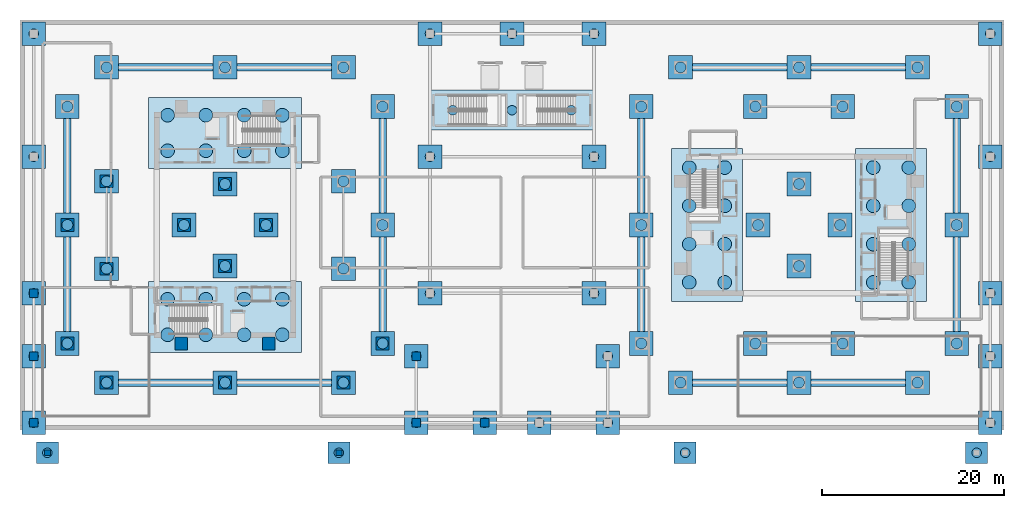
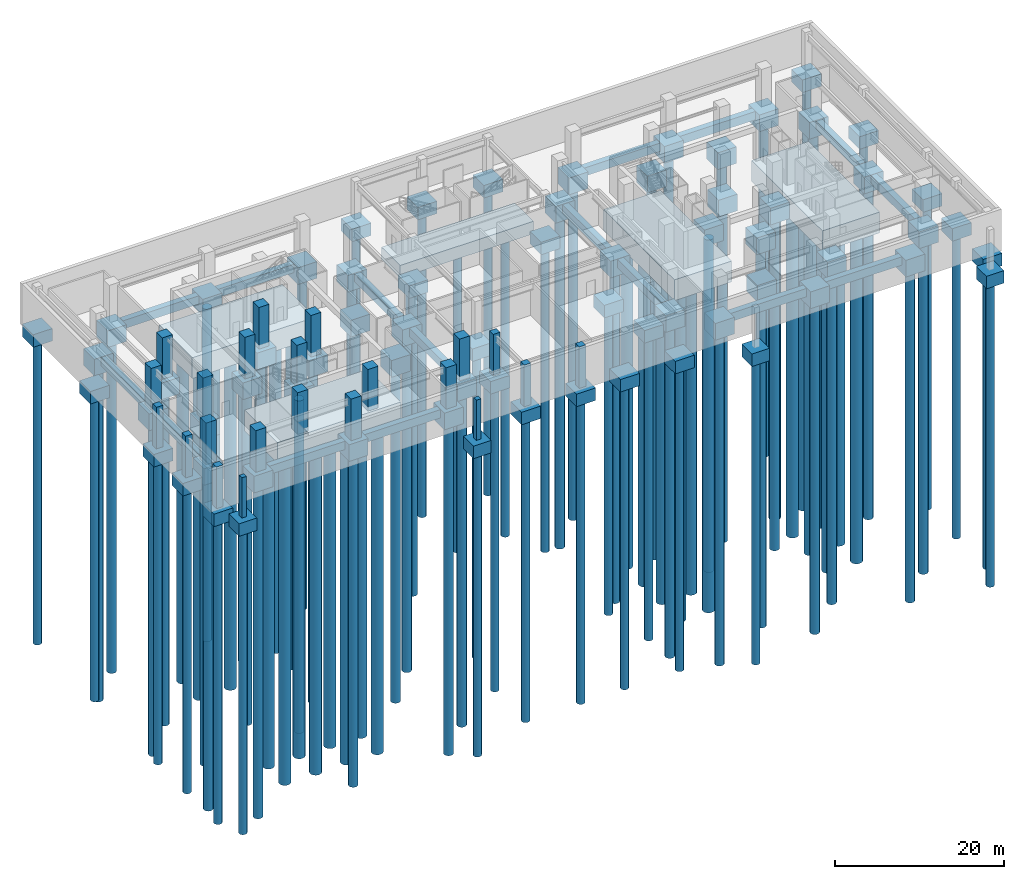
# One storey, part 1 of 14: 102 piles, 88 footings, 22 columns.
"""IFC4 building model written with IfcOpenShell, lengths in metres."""

from ifc_helpers import new_model, si_unit, direction, frame, origin, origin_2d, place, context, subcontext, project, spatial, rectangle, circle, extrude, material, material_profile, profile_set, type_object, element, save


model = new_model("IFC4")

# Units and contexts
model_context = context("Model", 3, precision=1e-05, world=origin(), true_north=direction((0.0, 1.0)))
body_context = subcontext(model_context, "Body", "Model", "MODEL_VIEW")
ifc_project = project(units=[si_unit("LENGTHUNIT", "METRE"), si_unit("AREAUNIT", "SQUARE_METRE"), si_unit("VOLUMEUNIT", "CUBIC_METRE"), si_unit("PLANEANGLEUNIT", "RADIAN"), si_unit("MASSUNIT", "GRAM", prefix="KILO")], contexts=[model_context])

# Site, building, storey
site_placement = place(None, origin())
site = spatial("IfcSite", under=ifc_project, at=site_placement, CompositionType="ELEMENT")
building_placement = place(site_placement, origin())
building = spatial("IfcBuilding", under=site, at=building_placement, Name="Thornwick Lancets Civic Towers", CompositionType="ELEMENT")
storey_placement = place(building_placement, frame((0.0, 0.0, -5.39990234375)))
storey = spatial("IfcBuildingStorey", under=building, at=storey_placement, Name="B01", CompositionType="ELEMENT", Elevation=-5.39990234375)

# Footings
ifc_material_1 = material(Name="Concrete C40/50", Category="concrete")
footing_type_1 = type_object("IfcFootingType", Name="FTG_CORE_CAP", PredefinedType="PILE_CAP", material=ifc_material_1)
for number, where, z_axis, x_axis, name in (
    (1, (25.5, 16.89990234375, -3.60009765625), (0.0, 0.0, 1.0), (1.0, 0.0, 0.0), "Core Pile Cap A1"),
    (2, (25.5, 37.10009765625, -3.60009765625), (0.0, 0.0, 1.0), (1.0, 0.0, 0.0), "Core Pile Cap A2"),
):
    element("IfcFooting", number, at=place(storey_placement, frame(where, z_axis=z_axis, x_axis=x_axis)), inside=storey, type_object=footing_type_1, Name=name, PredefinedType="PILE_CAP", context=body_context, shape_type="SweptSolid", body=[
        extrude(rectangle(XDim=16.800048828125, YDim=7.800048828125, at=origin_2d()), origin(), (0.0, 0.0, 1.0), 3.0),
    ])
for number, where, z_axis, x_axis, name in (
    (3, (98.60009765625, 27.0, -3.60009765625), (0.0, 0.0, 1.0), (1.0, 0.0, 0.0), "Core Pile Cap B1"),
    (4, (78.39990234375, 27.0, -3.60009765625), (0.0, 0.0, 1.0), (1.0, 0.0, 0.0), "Core Pile Cap B2"),
):
    element("IfcFooting", number, at=place(storey_placement, frame(where, z_axis=z_axis, x_axis=x_axis)), inside=storey, type_object=footing_type_1, Name=name, PredefinedType="PILE_CAP", context=body_context, shape_type="SweptSolid", body=[
        extrude(rectangle(XDim=7.800048828125, YDim=16.800048828125, at=origin_2d()), origin(), (0.0, 0.0, 1.0), 3.0),
    ])
footing_type_2 = type_object("IfcFootingType", Name="FTG_MEGA_CAP", PredefinedType="PILE_CAP", material=ifc_material_1)
for number, where, z_axis, x_axis, name in (
    (5, (12.5, 9.699951171875, -3.0), (0.0, 0.0, 1.0), (1.0, 0.0, 0.0), "Mega-Column Pile Cap A01"),
    (6, (25.5, 9.699951171875, -3.0), (0.0, 0.0, 1.0), (1.0, 0.0, 0.0), "Mega-Column Pile Cap A02"),
    (7, (38.5, 9.699951171875, -3.0), (0.0, 0.0, 1.0), (1.0, 0.0, 0.0), "Mega-Column Pile Cap A03"),
    (8, (42.800048828125, 14.0, -3.0), (0.0, 0.0, 1.0), (1.0, 0.0, 0.0), "Mega-Column Pile Cap A04"),
    (9, (42.800048828125, 27.0, -3.0), (0.0, 0.0, 1.0), (1.0, 0.0, 0.0), "Mega-Column Pile Cap A05"),
    (10, (42.800048828125, 40.0, -3.0), (0.0, 0.0, 1.0), (1.0, 0.0, 0.0), "Mega-Column Pile Cap A06"),
    (11, (12.5, 44.300048828125, -3.0), (0.0, 0.0, 1.0), (1.0, 0.0, 0.0), "Mega-Column Pile Cap A07"),
    (12, (25.5, 44.300048828125, -3.0), (0.0, 0.0, 1.0), (1.0, 0.0, 0.0), "Mega-Column Pile Cap A08"),
    (13, (38.5, 44.300048828125, -3.0), (0.0, 0.0, 1.0), (1.0, 0.0, 0.0), "Mega-Column Pile Cap A09"),
    (14, (8.199951171875, 14.0, -3.0), (0.0, 0.0, 1.0), (1.0, 0.0, 0.0), "Mega-Column Pile Cap A10"),
    (15, (8.199951171875, 27.0, -3.0), (0.0, 0.0, 1.0), (1.0, 0.0, 0.0), "Mega-Column Pile Cap A11"),
    (16, (8.199951171875, 40.0, -3.0), (0.0, 0.0, 1.0), (1.0, 0.0, 0.0), "Mega-Column Pile Cap A12"),
    (17, (12.5, 22.199951171875, -3.0), (0.0, 0.0, 1.0), (1.0, 0.0, 0.0), "Mega-Column Pile Cap A13"),
    (18, (38.5, 22.199951171875, -3.0), (0.0, 0.0, 1.0), (1.0, 0.0, 0.0), "Mega-Column Pile Cap A14"),
    (19, (12.5, 31.800048828125, -3.0), (0.0, 0.0, 1.0), (1.0, 0.0, 0.0), "Mega-Column Pile Cap A15"),
    (20, (38.5, 31.800048828125, -3.0), (0.0, 0.0, 1.0), (1.0, 0.0, 0.0), "Mega-Column Pile Cap A16"),
    (21, (25.5, 22.5, -3.0), (0.0, 0.0, 1.0), (1.0, 0.0, 0.0), "Mega-Column Pile Cap A21"),
    (22, (25.5, 31.5, -3.0), (0.0, 0.0, 1.0), (1.0, 0.0, 0.0), "Mega-Column Pile Cap A22"),
    (23, (21.0, 27.0, -3.0), (0.0, 0.0, 1.0), (1.0, 0.0, 0.0), "Mega-Column Pile Cap A23"),
    (24, (30.0, 27.0, -3.0), (0.0, 0.0, 1.0), (1.0, 0.0, 0.0), "Mega-Column Pile Cap A24"),
    (25, (105.800048828125, 14.0, -3.0), (0.0, 0.0, 1.0), (1.0, 0.0, 0.0), "Mega-Column Pile Cap B01"),
    (26, (105.800048828125, 27.0, -3.0), (0.0, 0.0, 1.0), (1.0, 0.0, 0.0), "Mega-Column Pile Cap B02"),
    (27, (105.800048828125, 40.0, -3.0), (0.0, 0.0, 1.0), (1.0, 0.0, 0.0), "Mega-Column Pile Cap B03"),
    (28, (101.5, 44.300048828125, -3.0), (0.0, 0.0, 1.0), (1.0, 0.0, 0.0), "Mega-Column Pile Cap B04"),
    (29, (88.5, 44.300048828125, -3.0), (0.0, 0.0, 1.0), (1.0, 0.0, 0.0), "Mega-Column Pile Cap B05"),
    (30, (75.5, 44.300048828125, -3.0), (0.0, 0.0, 1.0), (1.0, 0.0, 0.0), "Mega-Column Pile Cap B06"),
    (31, (71.199951171875, 14.0, -3.0), (0.0, 0.0, 1.0), (1.0, 0.0, 0.0), "Mega-Column Pile Cap B07"),
    (32, (71.199951171875, 27.0, -3.0), (0.0, 0.0, 1.0), (1.0, 0.0, 0.0), "Mega-Column Pile Cap B08"),
    (33, (71.199951171875, 40.0, -3.0), (0.0, 0.0, 1.0), (1.0, 0.0, 0.0), "Mega-Column Pile Cap B09"),
    (34, (101.5, 9.699951171875, -3.0), (0.0, 0.0, 1.0), (1.0, 0.0, 0.0), "Mega-Column Pile Cap B10"),
    (35, (88.5, 9.699951171875, -3.0), (0.0, 0.0, 1.0), (1.0, 0.0, 0.0), "Mega-Column Pile Cap B11"),
    (36, (75.5, 9.699951171875, -3.0), (0.0, 0.0, 1.0), (1.0, 0.0, 0.0), "Mega-Column Pile Cap B12"),
    (37, (93.300048828125, 14.0, -3.0), (0.0, 0.0, 1.0), (1.0, 0.0, 0.0), "Mega-Column Pile Cap B13"),
    (38, (93.300048828125, 40.0, -3.0), (0.0, 0.0, 1.0), (1.0, 0.0, 0.0), "Mega-Column Pile Cap B14"),
    (39, (83.699951171875, 14.0, -3.0), (0.0, 0.0, 1.0), (1.0, 0.0, 0.0), "Mega-Column Pile Cap B15"),
    (40, (83.699951171875, 40.0, -3.0), (0.0, 0.0, 1.0), (1.0, 0.0, 0.0), "Mega-Column Pile Cap B16"),
    (41, (93.0, 27.0, -3.0), (0.0, 0.0, 1.0), (1.0, 0.0, 0.0), "Mega-Column Pile Cap B21"),
    (42, (84.0, 27.0, -3.0), (0.0, 0.0, 1.0), (1.0, 0.0, 0.0), "Mega-Column Pile Cap B22"),
    (43, (88.5, 22.5, -3.0), (0.0, 0.0, 1.0), (1.0, 0.0, 0.0), "Mega-Column Pile Cap B23"),
    (44, (88.5, 31.5, -3.0), (0.0, 0.0, 1.0), (1.0, 0.0, 0.0), "Mega-Column Pile Cap B24"),
):
    element("IfcFooting", number, at=place(storey_placement, frame(where, z_axis=z_axis, x_axis=x_axis)), inside=storey, type_object=footing_type_2, Name=name, PredefinedType="PILE_CAP", context=body_context, shape_type="SweptSolid", body=[
        extrude(rectangle(XDim=2.60009765625, YDim=2.60009765625, at=origin_2d()), origin(), (0.0, 0.0, 1.0), 2.39990234375),
    ])
footing_type_3 = type_object("IfcFootingType", Name="FTG_POD_PAD", PredefinedType="PAD_FOOTING", material=ifc_material_1)
for number, where, z_axis, x_axis, name in (
    (45, (4.5, 5.300048828125, -2.39990234375), (0.0, 0.0, 1.0), (1.0, 0.0, 0.0), "Podium Footing PF-P01"),
    (46, (46.5, 5.300048828125, -2.39990234375), (0.0, 0.0, 1.0), (1.0, 0.0, 0.0), "Podium Footing PF-P02"),
    (47, (54.0, 5.300048828125, -2.39990234375), (0.0, 0.0, 1.0), (1.0, 0.0, 0.0), "Podium Footing PF-P03"),
    (48, (60.0, 5.300048828125, -2.39990234375), (0.0, 0.0, 1.0), (1.0, 0.0, 0.0), "Podium Footing PF-P04"),
    (49, (67.5, 5.300048828125, -2.39990234375), (0.0, 0.0, 1.0), (1.0, 0.0, 0.0), "Podium Footing PF-P05"),
    (50, (109.5, 5.300048828125, -2.39990234375), (0.0, 0.0, 1.0), (1.0, 0.0, 0.0), "Podium Footing PF-P06"),
    (51, (4.5, 12.60009765625, -2.39990234375), (0.0, 0.0, 1.0), (1.0, 0.0, 0.0), "Podium Footing PF-P07"),
    (52, (46.5, 12.60009765625, -2.39990234375), (0.0, 0.0, 1.0), (1.0, 0.0, 0.0), "Podium Footing PF-P08"),
    (53, (67.5, 12.60009765625, -2.39990234375), (0.0, 0.0, 1.0), (1.0, 0.0, 0.0), "Podium Footing PF-P09"),
    (54, (109.5, 12.60009765625, -2.39990234375), (0.0, 0.0, 1.0), (1.0, 0.0, 0.0), "Podium Footing PF-P10"),
    (55, (4.5, 19.5, -2.39990234375), (0.0, 0.0, 1.0), (1.0, 0.0, 0.0), "Podium Footing PF-P11"),
    (56, (4.5, 34.5, -2.39990234375), (0.0, 0.0, 1.0), (1.0, 0.0, 0.0), "Podium Footing PF-P12"),
    (57, (4.5, 48.0, -2.39990234375), (0.0, 0.0, 1.0), (1.0, 0.0, 0.0), "Podium Footing PF-P13"),
    (58, (48.0, 19.5, -2.39990234375), (0.0, 0.0, 1.0), (1.0, 0.0, 0.0), "Podium Footing PF-P14"),
    (59, (66.0, 19.5, -2.39990234375), (0.0, 0.0, 1.0), (1.0, 0.0, 0.0), "Podium Footing PF-P15"),
    (60, (48.0, 34.5, -2.39990234375), (0.0, 0.0, 1.0), (1.0, 0.0, 0.0), "Podium Footing PF-P16"),
    (61, (66.0, 34.5, -2.39990234375), (0.0, 0.0, 1.0), (1.0, 0.0, 0.0), "Podium Footing PF-P17"),
    (62, (48.0, 48.0, -2.39990234375), (0.0, 0.0, 1.0), (1.0, 0.0, 0.0), "Podium Footing PF-P18"),
    (63, (57.0, 48.0, -2.39990234375), (0.0, 0.0, 1.0), (1.0, 0.0, 0.0), "Podium Footing PF-P19"),
    (64, (66.0, 48.0, -2.39990234375), (0.0, 0.0, 1.0), (1.0, 0.0, 0.0), "Podium Footing PF-P20"),
    (65, (109.5, 19.5, -2.39990234375), (0.0, 0.0, 1.0), (1.0, 0.0, 0.0), "Podium Footing PF-P21"),
    (66, (109.5, 34.5, -2.39990234375), (0.0, 0.0, 1.0), (1.0, 0.0, 0.0), "Podium Footing PF-P22"),
    (67, (109.5, 48.0, -2.39990234375), (0.0, 0.0, 1.0), (1.0, 0.0, 0.0), "Podium Footing PF-P23"),
):
    element("IfcFooting", number, at=place(storey_placement, frame(where, z_axis=z_axis, x_axis=x_axis)), inside=storey, type_object=footing_type_3, Name=name, PredefinedType="PAD_FOOTING", context=body_context, shape_type="SweptSolid", body=[
        extrude(rectangle(XDim=2.60009765625, YDim=2.60009765625, at=origin_2d()), origin(), (0.0, 0.0, 1.0), 1.800048828125),
    ])
footing_placement = place(storey_placement, frame((57.0, 39.60009765625, -2.39990234375), z_axis=(0.0, 0.0, 1.0), x_axis=(1.0, 0.0, 0.0)))
element("IfcFooting", 68, at=footing_placement, inside=storey, type_object=footing_type_3, Name="Combined Podium Stair Core Foundation Pad", PredefinedType="PAD_FOOTING", context=body_context, shape_type="SweptSolid", body=[
    extrude(rectangle(XDim=18.199951171875, YDim=4.39990234375, at=origin_2d()), origin(), (0.0, 0.0, 1.0), 1.800048828125),
])
for number, where, z_axis, x_axis, name in (
    (69, (6.0, 2.0, -2.39990234375), (0.0, 0.0, 1.0), (1.0, 0.0, 0.0), "Plaza Grade Footing PF-PL01"),
    (70, (38.0, 2.0, -2.39990234375), (0.0, 0.0, 1.0), (1.0, 0.0, 0.0), "Plaza Grade Footing PF-PL02"),
    (71, (76.0, 2.0, -2.39990234375), (0.0, 0.0, 1.0), (1.0, 0.0, 0.0), "Plaza Grade Footing PF-PL03"),
    (72, (108.0, 2.0, -2.39990234375), (0.0, 0.0, 1.0), (1.0, 0.0, 0.0), "Plaza Grade Footing PF-PL04"),
):
    element("IfcFooting", number, at=place(storey_placement, frame(where, z_axis=z_axis, x_axis=x_axis)), inside=storey, type_object=footing_type_3, Name=name, PredefinedType="PAD_FOOTING", context=body_context, shape_type="SweptSolid", body=[
        extrude(rectangle(XDim=2.39990234375, YDim=2.39990234375, at=origin_2d()), origin(), (0.0, 0.0, 1.0), 1.800048828125),
    ])
footing_type_4 = type_object("IfcFootingType", Name="FTG_TIE_BEAM", PredefinedType="STRIP_FOOTING", material=ifc_material_1)
for number, where, z_axis, x_axis, name in (
    (73, (19.0, 9.699951171875, -1.80029296875), (0.0, 0.0, 1.0), (1.0, 0.0, 0.0), "Ground Tie Beam A-X-0-1"),
    (74, (32.0, 9.699951171875, -1.80029296875), (0.0, 0.0, 1.0), (1.0, 0.0, 0.0), "Ground Tie Beam A-X-1-2"),
):
    element("IfcFooting", number, at=place(storey_placement, frame(where, z_axis=z_axis, x_axis=x_axis)), inside=storey, type_object=footing_type_4, Name=name, PredefinedType="STRIP_FOOTING", context=body_context, shape_type="SweptSolid", body=[
        extrude(rectangle(XDim=10.360107421875, YDim=0.800048828125, at=origin_2d()), origin(), (0.0, 0.0, 1.0), 1.199951171875),
    ])
for number, where, z_axis, x_axis, name in (
    (75, (42.800048828125, 20.5, -1.80029296875), (0.0, 0.0, 1.0), (1.0, 0.0, 0.0), "Ground Tie Beam A-Y-3-4"),
    (76, (42.800048828125, 33.5, -1.80029296875), (0.0, 0.0, 1.0), (1.0, 0.0, 0.0), "Ground Tie Beam A-Y-4-5"),
):
    element("IfcFooting", number, at=place(storey_placement, frame(where, z_axis=z_axis, x_axis=x_axis)), inside=storey, type_object=footing_type_4, Name=name, PredefinedType="STRIP_FOOTING", context=body_context, shape_type="SweptSolid", body=[
        extrude(rectangle(XDim=0.800048828125, YDim=10.360107421875, at=origin_2d()), origin(), (0.0, 0.0, 1.0), 1.199951171875),
    ])
for number, where, z_axis, x_axis, name in (
    (77, (19.0, 44.300048828125, -1.80029296875), (0.0, 0.0, 1.0), (1.0, 0.0, 0.0), "Ground Tie Beam A-X-6-7"),
    (78, (32.0, 44.300048828125, -1.80029296875), (0.0, 0.0, 1.0), (1.0, 0.0, 0.0), "Ground Tie Beam A-X-7-8"),
):
    element("IfcFooting", number, at=place(storey_placement, frame(where, z_axis=z_axis, x_axis=x_axis)), inside=storey, type_object=footing_type_4, Name=name, PredefinedType="STRIP_FOOTING", context=body_context, shape_type="SweptSolid", body=[
        extrude(rectangle(XDim=10.360107421875, YDim=0.800048828125, at=origin_2d()), origin(), (0.0, 0.0, 1.0), 1.199951171875),
    ])
for number, where, z_axis, x_axis, name in (
    (79, (8.199951171875, 20.5, -1.80029296875), (0.0, 0.0, 1.0), (1.0, 0.0, 0.0), "Ground Tie Beam A-Y-9-10"),
    (80, (8.199951171875, 33.5, -1.80029296875), (0.0, 0.0, 1.0), (1.0, 0.0, 0.0), "Ground Tie Beam A-Y-10-11"),
    (81, (105.800048828125, 20.5, -1.80029296875), (0.0, 0.0, 1.0), (1.0, 0.0, 0.0), "Ground Tie Beam B-Y-0-1"),
    (82, (105.800048828125, 33.5, -1.80029296875), (0.0, 0.0, 1.0), (1.0, 0.0, 0.0), "Ground Tie Beam B-Y-1-2"),
):
    element("IfcFooting", number, at=place(storey_placement, frame(where, z_axis=z_axis, x_axis=x_axis)), inside=storey, type_object=footing_type_4, Name=name, PredefinedType="STRIP_FOOTING", context=body_context, shape_type="SweptSolid", body=[
        extrude(rectangle(XDim=0.800048828125, YDim=10.360107421875, at=origin_2d()), origin(), (0.0, 0.0, 1.0), 1.199951171875),
    ])
for number, where, z_axis, x_axis, name in (
    (83, (95.0, 44.300048828125, -1.80029296875), (0.0, 0.0, 1.0), (1.0, 0.0, 0.0), "Ground Tie Beam B-X-3-4"),
    (84, (82.0, 44.300048828125, -1.80029296875), (0.0, 0.0, 1.0), (1.0, 0.0, 0.0), "Ground Tie Beam B-X-4-5"),
):
    element("IfcFooting", number, at=place(storey_placement, frame(where, z_axis=z_axis, x_axis=x_axis)), inside=storey, type_object=footing_type_4, Name=name, PredefinedType="STRIP_FOOTING", context=body_context, shape_type="SweptSolid", body=[
        extrude(rectangle(XDim=10.360107421875, YDim=0.800048828125, at=origin_2d()), origin(), (0.0, 0.0, 1.0), 1.199951171875),
    ])
for number, where, z_axis, x_axis, name in (
    (85, (71.199951171875, 20.5, -1.80029296875), (0.0, 0.0, 1.0), (1.0, 0.0, 0.0), "Ground Tie Beam B-Y-6-7"),
    (86, (71.199951171875, 33.5, -1.80029296875), (0.0, 0.0, 1.0), (1.0, 0.0, 0.0), "Ground Tie Beam B-Y-7-8"),
):
    element("IfcFooting", number, at=place(storey_placement, frame(where, z_axis=z_axis, x_axis=x_axis)), inside=storey, type_object=footing_type_4, Name=name, PredefinedType="STRIP_FOOTING", context=body_context, shape_type="SweptSolid", body=[
        extrude(rectangle(XDim=0.800048828125, YDim=10.360107421875, at=origin_2d()), origin(), (0.0, 0.0, 1.0), 1.199951171875),
    ])
for number, where, z_axis, x_axis, name in (
    (87, (95.0, 9.699951171875, -1.80029296875), (0.0, 0.0, 1.0), (1.0, 0.0, 0.0), "Ground Tie Beam B-X-9-10"),
    (88, (82.0, 9.699951171875, -1.80029296875), (0.0, 0.0, 1.0), (1.0, 0.0, 0.0), "Ground Tie Beam B-X-10-11"),
):
    element("IfcFooting", number, at=place(storey_placement, frame(where, z_axis=z_axis, x_axis=x_axis)), inside=storey, type_object=footing_type_4, Name=name, PredefinedType="STRIP_FOOTING", context=body_context, shape_type="SweptSolid", body=[
        extrude(rectangle(XDim=10.360107421875, YDim=0.800048828125, at=origin_2d()), origin(), (0.0, 0.0, 1.0), 1.199951171875),
    ])

# Piles
ifc_material_profile_1 = material_profile(ifc_material_1, circle(Radius=0.52490234375, at=origin_2d()), Name="PILE D1050")
ifc_profile_set_1 = profile_set([ifc_material_profile_1], Name="Concrete C40/50")
pile_type_1 = type_object("IfcPileType", Name="PILE_1050", PredefinedType="BORED", material=ifc_profile_set_1)
for number, where, z_axis, x_axis, name in (
    (89, (4.5, 5.300048828125, -2.25), (0.0, 0.0, -1.0), (1.0, 0.0, 0.0), "Bored Pile P1050-073"),
    (90, (46.5, 5.300048828125, -2.25), (0.0, 0.0, -1.0), (1.0, 0.0, 0.0), "Bored Pile P1050-074"),
    (91, (54.0, 5.300048828125, -2.25), (0.0, 0.0, -1.0), (1.0, 0.0, 0.0), "Bored Pile P1050-075"),
    (92, (60.0, 5.300048828125, -2.25), (0.0, 0.0, -1.0), (1.0, 0.0, 0.0), "Bored Pile P1050-076"),
    (93, (67.5, 5.300048828125, -2.25), (0.0, 0.0, -1.0), (1.0, 0.0, 0.0), "Bored Pile P1050-077"),
    (94, (109.5, 5.300048828125, -2.25), (0.0, 0.0, -1.0), (1.0, 0.0, 0.0), "Bored Pile P1050-078"),
    (95, (4.5, 12.60009765625, -2.25), (0.0, 0.0, -1.0), (1.0, 0.0, 0.0), "Bored Pile P1050-079"),
    (96, (46.5, 12.60009765625, -2.25), (0.0, 0.0, -1.0), (1.0, 0.0, 0.0), "Bored Pile P1050-080"),
    (97, (67.5, 12.60009765625, -2.25), (0.0, 0.0, -1.0), (1.0, 0.0, 0.0), "Bored Pile P1050-081"),
    (98, (109.5, 12.60009765625, -2.25), (0.0, 0.0, -1.0), (1.0, 0.0, 0.0), "Bored Pile P1050-082"),
    (99, (4.5, 19.5, -2.25), (0.0, 0.0, -1.0), (1.0, 0.0, 0.0), "Bored Pile P1050-083"),
    (100, (4.5, 34.5, -2.25), (0.0, 0.0, -1.0), (1.0, 0.0, 0.0), "Bored Pile P1050-084"),
    (101, (4.5, 48.0, -2.25), (0.0, 0.0, -1.0), (1.0, 0.0, 0.0), "Bored Pile P1050-085"),
    (102, (48.0, 19.5, -2.25), (0.0, 0.0, -1.0), (1.0, 0.0, 0.0), "Bored Pile P1050-086"),
    (103, (66.0, 19.5, -2.25), (0.0, 0.0, -1.0), (1.0, 0.0, 0.0), "Bored Pile P1050-087"),
    (104, (48.0, 34.5, -2.25), (0.0, 0.0, -1.0), (1.0, 0.0, 0.0), "Bored Pile P1050-088"),
    (105, (66.0, 34.5, -2.25), (0.0, 0.0, -1.0), (1.0, 0.0, 0.0), "Bored Pile P1050-089"),
    (106, (48.0, 48.0, -2.25), (0.0, 0.0, -1.0), (1.0, 0.0, 0.0), "Bored Pile P1050-090"),
    (107, (57.0, 48.0, -2.25), (0.0, 0.0, -1.0), (1.0, 0.0, 0.0), "Bored Pile P1050-091"),
    (108, (66.0, 48.0, -2.25), (0.0, 0.0, -1.0), (1.0, 0.0, 0.0), "Bored Pile P1050-092"),
    (109, (109.5, 19.5, -2.25), (0.0, 0.0, -1.0), (1.0, 0.0, 0.0), "Bored Pile P1050-093"),
    (110, (109.5, 34.5, -2.25), (0.0, 0.0, -1.0), (1.0, 0.0, 0.0), "Bored Pile P1050-094"),
    (111, (109.5, 48.0, -2.25), (0.0, 0.0, -1.0), (1.0, 0.0, 0.0), "Bored Pile P1050-095"),
    (112, (50.5, 39.60009765625, -2.25), (0.0, 0.0, -1.0), (1.0, 0.0, 0.0), "Bored Pile P1050-096"),
    (113, (57.0, 39.60009765625, -2.25), (0.0, 0.0, -1.0), (1.0, 0.0, 0.0), "Bored Pile P1050-097"),
    (114, (63.5, 39.60009765625, -2.25), (0.0, 0.0, -1.0), (1.0, 0.0, 0.0), "Bored Pile P1050-098"),
    (115, (6.0, 2.0, -2.25), (0.0, 0.0, -1.0), (1.0, 0.0, 0.0), "Bored Pile P1050-099"),
    (116, (38.0, 2.0, -2.25), (0.0, 0.0, -1.0), (1.0, 0.0, 0.0), "Bored Pile P1050-100"),
    (117, (76.0, 2.0, -2.25), (0.0, 0.0, -1.0), (1.0, 0.0, 0.0), "Bored Pile P1050-101"),
    (118, (108.0, 2.0, -2.25), (0.0, 0.0, -1.0), (1.0, 0.0, 0.0), "Bored Pile P1050-102"),
):
    element("IfcPile", number, at=place(storey_placement, frame(where, z_axis=z_axis, x_axis=x_axis)), inside=storey, type_object=pile_type_1, Name=name, PredefinedType="BORED", context=body_context, shape_type="SweptSolid", body=[
        extrude(circle(Radius=0.52490234375, at=origin_2d()), origin(), (0.0, 0.0, 1.0), 44.0),
    ])
ifc_material_profile_2 = material_profile(ifc_material_1, circle(Radius=0.60009765625, at=origin_2d()), Name="PILE D1200")
ifc_profile_set_2 = profile_set([ifc_material_profile_2], Name="Concrete C40/50")
pile_type_2 = type_object("IfcPileType", Name="PILE_1200", PredefinedType="BORED", material=ifc_profile_set_2)
for number, where, z_axis, x_axis, name in (
    (119, (12.5, 9.699951171875, -2.85009765625), (0.0, 0.0, -1.0), (1.0, 0.0, 0.0), "Bored Pile P1200-033"),
    (120, (25.5, 9.699951171875, -2.85009765625), (0.0, 0.0, -1.0), (1.0, 0.0, 0.0), "Bored Pile P1200-034"),
    (121, (38.5, 9.699951171875, -2.85009765625), (0.0, 0.0, -1.0), (1.0, 0.0, 0.0), "Bored Pile P1200-035"),
    (122, (42.800048828125, 14.0, -2.85009765625), (0.0, 0.0, -1.0), (1.0, 0.0, 0.0), "Bored Pile P1200-036"),
    (123, (42.800048828125, 27.0, -2.85009765625), (0.0, 0.0, -1.0), (1.0, 0.0, 0.0), "Bored Pile P1200-037"),
    (124, (42.800048828125, 40.0, -2.85009765625), (0.0, 0.0, -1.0), (1.0, 0.0, 0.0), "Bored Pile P1200-038"),
    (125, (12.5, 44.300048828125, -2.85009765625), (0.0, 0.0, -1.0), (1.0, 0.0, 0.0), "Bored Pile P1200-039"),
    (126, (25.5, 44.300048828125, -2.85009765625), (0.0, 0.0, -1.0), (1.0, 0.0, 0.0), "Bored Pile P1200-040"),
    (127, (38.5, 44.300048828125, -2.85009765625), (0.0, 0.0, -1.0), (1.0, 0.0, 0.0), "Bored Pile P1200-041"),
    (128, (8.199951171875, 14.0, -2.85009765625), (0.0, 0.0, -1.0), (1.0, 0.0, 0.0), "Bored Pile P1200-042"),
    (129, (8.199951171875, 27.0, -2.85009765625), (0.0, 0.0, -1.0), (1.0, 0.0, 0.0), "Bored Pile P1200-043"),
    (130, (8.199951171875, 40.0, -2.85009765625), (0.0, 0.0, -1.0), (1.0, 0.0, 0.0), "Bored Pile P1200-044"),
    (131, (12.5, 22.199951171875, -2.85009765625), (0.0, 0.0, -1.0), (1.0, 0.0, 0.0), "Bored Pile P1200-045"),
    (132, (38.5, 22.199951171875, -2.85009765625), (0.0, 0.0, -1.0), (1.0, 0.0, 0.0), "Bored Pile P1200-046"),
    (133, (12.5, 31.800048828125, -2.85009765625), (0.0, 0.0, -1.0), (1.0, 0.0, 0.0), "Bored Pile P1200-047"),
    (134, (38.5, 31.800048828125, -2.85009765625), (0.0, 0.0, -1.0), (1.0, 0.0, 0.0), "Bored Pile P1200-048"),
    (135, (25.5, 22.5, -2.85009765625), (0.0, 0.0, -1.0), (1.0, 0.0, 0.0), "Bored Pile P1200-049"),
    (136, (25.5, 31.5, -2.85009765625), (0.0, 0.0, -1.0), (1.0, 0.0, 0.0), "Bored Pile P1200-050"),
    (137, (21.0, 27.0, -2.85009765625), (0.0, 0.0, -1.0), (1.0, 0.0, 0.0), "Bored Pile P1200-051"),
    (138, (30.0, 27.0, -2.85009765625), (0.0, 0.0, -1.0), (1.0, 0.0, 0.0), "Bored Pile P1200-052"),
    (139, (105.800048828125, 14.0, -2.85009765625), (0.0, 0.0, -1.0), (1.0, 0.0, 0.0), "Bored Pile P1200-053"),
    (140, (105.800048828125, 27.0, -2.85009765625), (0.0, 0.0, -1.0), (1.0, 0.0, 0.0), "Bored Pile P1200-054"),
    (141, (105.800048828125, 40.0, -2.85009765625), (0.0, 0.0, -1.0), (1.0, 0.0, 0.0), "Bored Pile P1200-055"),
    (142, (101.5, 44.300048828125, -2.85009765625), (0.0, 0.0, -1.0), (1.0, 0.0, 0.0), "Bored Pile P1200-056"),
    (143, (88.5, 44.300048828125, -2.85009765625), (0.0, 0.0, -1.0), (1.0, 0.0, 0.0), "Bored Pile P1200-057"),
    (144, (75.5, 44.300048828125, -2.85009765625), (0.0, 0.0, -1.0), (1.0, 0.0, 0.0), "Bored Pile P1200-058"),
    (145, (71.199951171875, 14.0, -2.85009765625), (0.0, 0.0, -1.0), (1.0, 0.0, 0.0), "Bored Pile P1200-059"),
    (146, (71.199951171875, 27.0, -2.85009765625), (0.0, 0.0, -1.0), (1.0, 0.0, 0.0), "Bored Pile P1200-060"),
    (147, (71.199951171875, 40.0, -2.85009765625), (0.0, 0.0, -1.0), (1.0, 0.0, 0.0), "Bored Pile P1200-061"),
    (148, (101.5, 9.699951171875, -2.85009765625), (0.0, 0.0, -1.0), (1.0, 0.0, 0.0), "Bored Pile P1200-062"),
    (149, (88.5, 9.699951171875, -2.85009765625), (0.0, 0.0, -1.0), (1.0, 0.0, 0.0), "Bored Pile P1200-063"),
    (150, (75.5, 9.699951171875, -2.85009765625), (0.0, 0.0, -1.0), (1.0, 0.0, 0.0), "Bored Pile P1200-064"),
    (151, (93.300048828125, 14.0, -2.85009765625), (0.0, 0.0, -1.0), (1.0, 0.0, 0.0), "Bored Pile P1200-065"),
    (152, (93.300048828125, 40.0, -2.85009765625), (0.0, 0.0, -1.0), (1.0, 0.0, 0.0), "Bored Pile P1200-066"),
    (153, (83.699951171875, 14.0, -2.85009765625), (0.0, 0.0, -1.0), (1.0, 0.0, 0.0), "Bored Pile P1200-067"),
    (154, (83.699951171875, 40.0, -2.85009765625), (0.0, 0.0, -1.0), (1.0, 0.0, 0.0), "Bored Pile P1200-068"),
    (155, (93.0, 27.0, -2.85009765625), (0.0, 0.0, -1.0), (1.0, 0.0, 0.0), "Bored Pile P1200-069"),
    (156, (84.0, 27.0, -2.85009765625), (0.0, 0.0, -1.0), (1.0, 0.0, 0.0), "Bored Pile P1200-070"),
    (157, (88.5, 22.5, -2.85009765625), (0.0, 0.0, -1.0), (1.0, 0.0, 0.0), "Bored Pile P1200-071"),
    (158, (88.5, 31.5, -2.85009765625), (0.0, 0.0, -1.0), (1.0, 0.0, 0.0), "Bored Pile P1200-072"),
):
    element("IfcPile", number, at=place(storey_placement, frame(where, z_axis=z_axis, x_axis=x_axis)), inside=storey, type_object=pile_type_2, Name=name, PredefinedType="BORED", context=body_context, shape_type="SweptSolid", body=[
        extrude(circle(Radius=0.60009765625, at=origin_2d()), origin(), (0.0, 0.0, 1.0), 48.0),
    ])
ifc_material_profile_3 = material_profile(ifc_material_1, circle(Radius=0.75, at=origin_2d()), Name="PILE D1500")
ifc_profile_set_3 = profile_set([ifc_material_profile_3], Name="Concrete C40/50")
pile_type_3 = type_object("IfcPileType", Name="PILE_1500", PredefinedType="BORED", material=ifc_profile_set_3)
for number, where, z_axis, x_axis, name in (
    (159, (19.199951171875, 14.949951171875, -3.4501953125), (0.0, 0.0, -1.0), (1.0, 0.0, 0.0), "Bored Pile P1500-001"),
    (160, (19.199951171875, 18.85009765625, -3.4501953125), (0.0, 0.0, -1.0), (1.0, 0.0, 0.0), "Bored Pile P1500-002"),
    (161, (23.39990234375, 14.949951171875, -3.4501953125), (0.0, 0.0, -1.0), (1.0, 0.0, 0.0), "Bored Pile P1500-003"),
    (162, (23.39990234375, 18.85009765625, -3.4501953125), (0.0, 0.0, -1.0), (1.0, 0.0, 0.0), "Bored Pile P1500-004"),
    (163, (27.60009765625, 14.949951171875, -3.4501953125), (0.0, 0.0, -1.0), (1.0, 0.0, 0.0), "Bored Pile P1500-005"),
    (164, (27.60009765625, 18.85009765625, -3.4501953125), (0.0, 0.0, -1.0), (1.0, 0.0, 0.0), "Bored Pile P1500-006"),
    (165, (31.800048828125, 14.949951171875, -3.4501953125), (0.0, 0.0, -1.0), (1.0, 0.0, 0.0), "Bored Pile P1500-007"),
    (166, (31.800048828125, 18.85009765625, -3.4501953125), (0.0, 0.0, -1.0), (1.0, 0.0, 0.0), "Bored Pile P1500-008"),
    (167, (19.199951171875, 35.14990234375, -3.4501953125), (0.0, 0.0, -1.0), (1.0, 0.0, 0.0), "Bored Pile P1500-009"),
    (168, (19.199951171875, 39.050048828125, -3.4501953125), (0.0, 0.0, -1.0), (1.0, 0.0, 0.0), "Bored Pile P1500-010"),
    (169, (23.39990234375, 35.14990234375, -3.4501953125), (0.0, 0.0, -1.0), (1.0, 0.0, 0.0), "Bored Pile P1500-011"),
    (170, (23.39990234375, 39.050048828125, -3.4501953125), (0.0, 0.0, -1.0), (1.0, 0.0, 0.0), "Bored Pile P1500-012"),
    (171, (27.60009765625, 35.14990234375, -3.4501953125), (0.0, 0.0, -1.0), (1.0, 0.0, 0.0), "Bored Pile P1500-013"),
    (172, (27.60009765625, 39.050048828125, -3.4501953125), (0.0, 0.0, -1.0), (1.0, 0.0, 0.0), "Bored Pile P1500-014"),
    (173, (31.800048828125, 35.14990234375, -3.4501953125), (0.0, 0.0, -1.0), (1.0, 0.0, 0.0), "Bored Pile P1500-015"),
    (174, (31.800048828125, 39.050048828125, -3.4501953125), (0.0, 0.0, -1.0), (1.0, 0.0, 0.0), "Bored Pile P1500-016"),
    (175, (96.64990234375, 20.699951171875, -3.4501953125), (0.0, 0.0, -1.0), (1.0, 0.0, 0.0), "Bored Pile P1500-017"),
    (176, (96.64990234375, 24.89990234375, -3.4501953125), (0.0, 0.0, -1.0), (1.0, 0.0, 0.0), "Bored Pile P1500-018"),
    (177, (96.64990234375, 29.10009765625, -3.4501953125), (0.0, 0.0, -1.0), (1.0, 0.0, 0.0), "Bored Pile P1500-019"),
    (178, (96.64990234375, 33.300048828125, -3.4501953125), (0.0, 0.0, -1.0), (1.0, 0.0, 0.0), "Bored Pile P1500-020"),
    (179, (100.550048828125, 20.699951171875, -3.4501953125), (0.0, 0.0, -1.0), (1.0, 0.0, 0.0), "Bored Pile P1500-021"),
    (180, (100.550048828125, 24.89990234375, -3.4501953125), (0.0, 0.0, -1.0), (1.0, 0.0, 0.0), "Bored Pile P1500-022"),
    (181, (100.550048828125, 29.10009765625, -3.4501953125), (0.0, 0.0, -1.0), (1.0, 0.0, 0.0), "Bored Pile P1500-023"),
    (182, (100.550048828125, 33.300048828125, -3.4501953125), (0.0, 0.0, -1.0), (1.0, 0.0, 0.0), "Bored Pile P1500-024"),
    (183, (76.449951171875, 20.699951171875, -3.4501953125), (0.0, 0.0, -1.0), (1.0, 0.0, 0.0), "Bored Pile P1500-025"),
    (184, (76.449951171875, 24.89990234375, -3.4501953125), (0.0, 0.0, -1.0), (1.0, 0.0, 0.0), "Bored Pile P1500-026"),
    (185, (76.449951171875, 29.10009765625, -3.4501953125), (0.0, 0.0, -1.0), (1.0, 0.0, 0.0), "Bored Pile P1500-027"),
    (186, (76.449951171875, 33.300048828125, -3.4501953125), (0.0, 0.0, -1.0), (1.0, 0.0, 0.0), "Bored Pile P1500-028"),
    (187, (80.35009765625, 20.699951171875, -3.4501953125), (0.0, 0.0, -1.0), (1.0, 0.0, 0.0), "Bored Pile P1500-029"),
    (188, (80.35009765625, 24.89990234375, -3.4501953125), (0.0, 0.0, -1.0), (1.0, 0.0, 0.0), "Bored Pile P1500-030"),
    (189, (80.35009765625, 29.10009765625, -3.4501953125), (0.0, 0.0, -1.0), (1.0, 0.0, 0.0), "Bored Pile P1500-031"),
    (190, (80.35009765625, 33.300048828125, -3.4501953125), (0.0, 0.0, -1.0), (1.0, 0.0, 0.0), "Bored Pile P1500-032"),
):
    element("IfcPile", number, at=place(storey_placement, frame(where, z_axis=z_axis, x_axis=x_axis)), inside=storey, type_object=pile_type_3, Name=name, PredefinedType="BORED", context=body_context, shape_type="SweptSolid", body=[
        extrude(circle(Radius=0.75, at=origin_2d()), origin(), (0.0, 0.0, 1.0), 48.0),
    ])

# Columns
ifc_material_2 = material(Name="Concrete C60/75", Category="concrete")
ifc_material_profile_4 = material_profile(ifc_material_2, rectangle(XDim=1.39990234375, YDim=1.39990234375, at=origin_2d()), Name="RC 1400x1400")
ifc_profile_set_4 = profile_set([ifc_material_profile_4], Name="Concrete C60/75")
column_type_1 = type_object("IfcColumnType", Name="COL_RC_1400", PredefinedType="COLUMN", material=ifc_profile_set_4)
for number, where, z_axis, x_axis, name in (
    (191, (12.5, 9.699951171875, -0.60009765625), (0.0, 0.0, 1.0), (1.0, 0.0, 0.0), "B01 Spine Mega-Column A01"),
    (192, (25.5, 9.699951171875, -0.60009765625), (0.0, 0.0, 1.0), (1.0, 0.0, 0.0), "B01 Spine Mega-Column A02"),
    (193, (38.5, 9.699951171875, -0.60009765625), (0.0, 0.0, 1.0), (1.0, 0.0, 0.0), "B01 Spine Mega-Column A03"),
    (194, (42.800048828125, 14.0, -0.60009765625), (0.0, 0.0, 1.0), (1.0, 0.0, 0.0), "B01 Spine Mega-Column A04"),
    (195, (8.199951171875, 14.0, -0.60009765625), (0.0, 0.0, 1.0), (1.0, 0.0, 0.0), "B01 Spine Mega-Column A10"),
    (196, (8.199951171875, 27.0, -0.60009765625), (0.0, 0.0, 1.0), (1.0, 0.0, 0.0), "B01 Spine Mega-Column A11"),
    (197, (12.5, 22.199951171875, -0.60009765625), (0.0, 0.0, 1.0), (1.0, 0.0, 0.0), "B01 Spine Mega-Column A13"),
    (198, (12.5, 31.800048828125, -0.60009765625), (0.0, 0.0, 1.0), (1.0, 0.0, 0.0), "B01 Spine Mega-Column A15"),
    (199, (20.699951171875, 14.0, -0.60009765625), (0.0, 0.0, 1.0), (1.0, 0.0, 0.0), "B01 Spine Mega-Column A17"),
    (200, (30.300048828125, 14.0, -0.60009765625), (0.0, 0.0, 1.0), (1.0, 0.0, 0.0), "B01 Spine Mega-Column A18"),
    (201, (25.5, 22.5, -0.60009765625), (0.0, 0.0, 1.0), (1.0, 0.0, 0.0), "B01 Spine Mega-Column A21"),
    (202, (25.5, 31.5, -0.60009765625), (0.0, 0.0, 1.0), (1.0, 0.0, 0.0), "B01 Spine Mega-Column A22"),
    (203, (21.0, 27.0, -0.60009765625), (0.0, 0.0, 1.0), (1.0, 0.0, 0.0), "B01 Spine Mega-Column A23"),
    (204, (30.0, 27.0, -0.60009765625), (0.0, 0.0, 1.0), (1.0, 0.0, 0.0), "B01 Spine Mega-Column A24"),
):
    element("IfcColumn", number, at=place(storey_placement, frame(where, z_axis=z_axis, x_axis=x_axis)), inside=storey, type_object=column_type_1, Name=name, PredefinedType="COLUMN", context=body_context, shape_type="SweptSolid", body=[
        extrude(rectangle(XDim=1.39990234375, YDim=1.39990234375, at=origin_2d()), origin(), (0.0, 0.0, 1.0), 6.0),
    ])
ifc_material_profile_5 = material_profile(ifc_material_1, rectangle(XDim=0.64990234375, YDim=0.64990234375, at=origin_2d()), Name="RC 650x650")
ifc_profile_set_5 = profile_set([ifc_material_profile_5], Name="Concrete C40/50")
column_type_2 = type_object("IfcColumnType", Name="COL_RC_650", PredefinedType="COLUMN", material=ifc_profile_set_5)
for number, where, z_axis, x_axis, name in (
    (205, (6.0, 2.0, -0.60009765625), (0.0, 0.0, 1.0), (1.0, 0.0, 0.0), "B01 Plaza Grade Support Pier 01"),
    (206, (38.0, 2.0, -0.60009765625), (0.0, 0.0, 1.0), (1.0, 0.0, 0.0), "B01 Plaza Grade Support Pier 02"),
):
    element("IfcColumn", number, at=place(storey_placement, frame(where, z_axis=z_axis, x_axis=x_axis)), inside=storey, type_object=column_type_2, Name=name, PredefinedType="COLUMN", context=body_context, shape_type="SweptSolid", body=[
        extrude(rectangle(XDim=0.64990234375, YDim=0.64990234375, at=origin_2d()), origin(), (0.0, 0.0, 1.0), 5.800048828125),
    ])
ifc_material_3 = material(Name="Concrete C50/60", Category="concrete")
ifc_material_profile_6 = material_profile(ifc_material_3, rectangle(XDim=0.89990234375, YDim=0.89990234375, at=origin_2d()), Name="RC 900x900")
ifc_profile_set_6 = profile_set([ifc_material_profile_6], Name="Concrete C50/60")
column_type_3 = type_object("IfcColumnType", Name="COL_RC_900", PredefinedType="COLUMN", material=ifc_profile_set_6)
for number, where, z_axis, x_axis, name in (
    (207, (4.5, 5.300048828125, -0.60009765625), (0.0, 0.0, 1.0), (1.0, 0.0, 0.0), "B01 Podium Column P01"),
    (208, (46.5, 5.300048828125, -0.60009765625), (0.0, 0.0, 1.0), (1.0, 0.0, 0.0), "B01 Podium Column P02"),
    (209, (54.0, 5.300048828125, -0.60009765625), (0.0, 0.0, 1.0), (1.0, 0.0, 0.0), "B01 Podium Column P03"),
    (210, (4.5, 12.60009765625, -0.60009765625), (0.0, 0.0, 1.0), (1.0, 0.0, 0.0), "B01 Podium Column P07"),
    (211, (46.5, 12.60009765625, -0.60009765625), (0.0, 0.0, 1.0), (1.0, 0.0, 0.0), "B01 Podium Column P08"),
    (212, (4.5, 19.5, -0.60009765625), (0.0, 0.0, 1.0), (1.0, 0.0, 0.0), "B01 Podium Column P11"),
):
    element("IfcColumn", number, at=place(storey_placement, frame(where, z_axis=z_axis, x_axis=x_axis)), inside=storey, type_object=column_type_3, Name=name, PredefinedType="COLUMN", context=body_context, shape_type="SweptSolid", body=[
        extrude(rectangle(XDim=0.89990234375, YDim=0.89990234375, at=origin_2d()), origin(), (0.0, 0.0, 1.0), 6.0),
    ])

save(model, "model.ifc")
